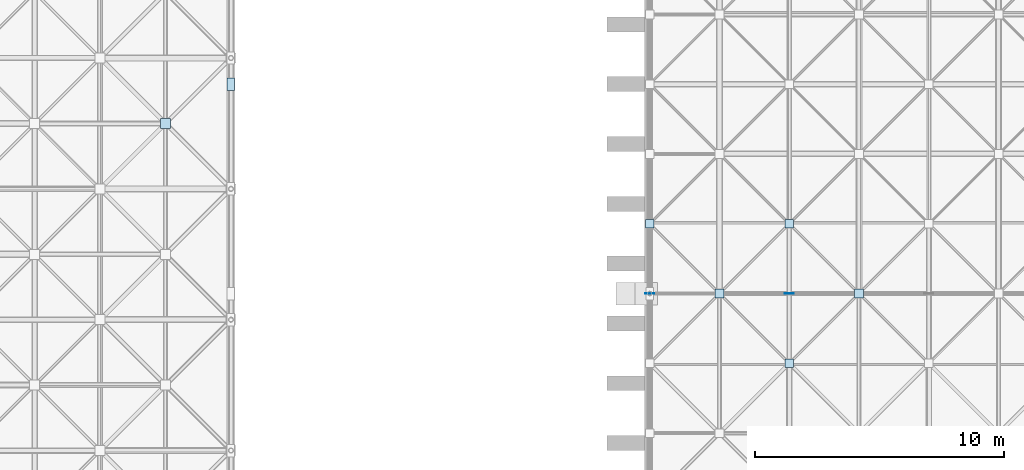
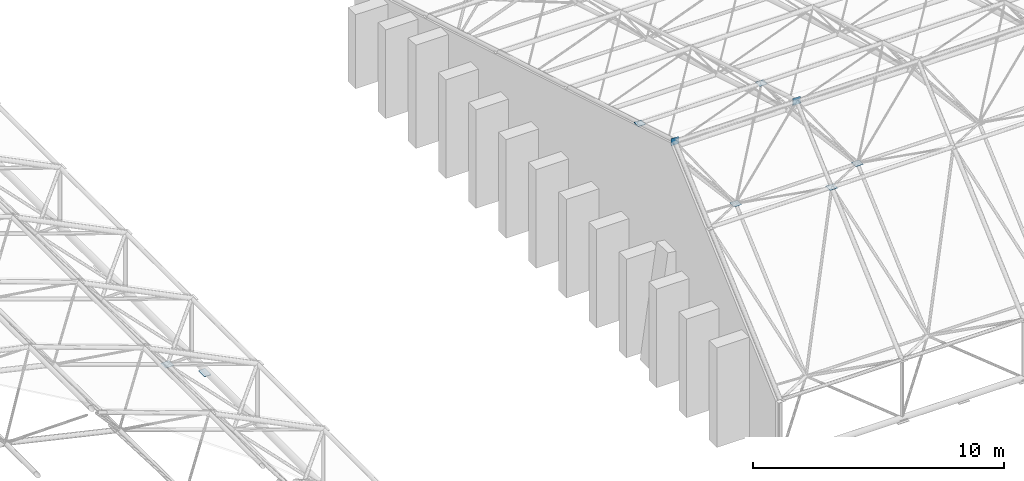
# One storey, part 57 of 100: 9 plates.
"""IFC4 building model written with IfcOpenShell, lengths in metres."""

from ifc_helpers import new_model, si_unit, direction, frame, origin, origin_2d, place, context, subcontext, project, spatial, rectangle, extrude, material, layer, layer_set, type_object, element, save


model = new_model("IFC4")

# Units and contexts
model_context = context("Model", 3, precision=1e-05, world=origin(), true_north=direction((0.0, 1.0)))
body_context = subcontext(model_context, "Body", "Model", "MODEL_VIEW")
ifc_project = project(units=[si_unit("LENGTHUNIT", "METRE"), si_unit("AREAUNIT", "SQUARE_METRE"), si_unit("VOLUMEUNIT", "CUBIC_METRE"), si_unit("PLANEANGLEUNIT", "RADIAN"), si_unit("MASSUNIT", "GRAM", prefix="KILO")], contexts=[model_context])

# Site, building, storey
site_placement = place(None, origin())
site = spatial("IfcSite", under=ifc_project, at=site_placement, CompositionType="ELEMENT")
building_placement = place(site_placement, origin())
building = spatial("IfcBuilding", under=site, at=building_placement, Name="Kiln Court Media Centre", CompositionType="ELEMENT")
storey_placement = place(building_placement, frame((0.0, 0.0, 15.0)))
storey = spatial("IfcBuildingStorey", under=building, at=storey_placement, Name="L03", CompositionType="ELEMENT", Elevation=15.0)

# Plates
ifc_material_1 = material(Name="Steel ASTM A572 Gr 50", Category="steel")
ifc_layer_1 = layer(ifc_material_1, 0.030029296875)
ifc_layer_set_1 = layer_set([ifc_layer_1], Name="Steel ASTM A572 Gr 50 300x500x30 bearing plate")
plate_type_1 = type_object("IfcPlateType", Name="Steel ASTM A572 Gr 50 300x500x30 bearing plate", PredefinedType="USERDEFINED", material=ifc_layer_set_1)
plate_1_placement = place(storey_placement, frame((100.800048828125, 50.39990234375, -0.001953125), z_axis=(0.0, 0.0, 1.0), x_axis=(1.0, 0.0, 0.0)))
element("IfcPlate", 1, at=plate_1_placement, inside=storey, type_object=plate_type_1, Name="V1 roof bearing plate at RC-V1-3 bearing plate", ObjectType="BEARING PLATE", PredefinedType="USERDEFINED", context=body_context, shape_type="SweptSolid", body=[
    extrude(rectangle(XDim=0.300048828125, YDim=0.5, at=origin_2d()), origin(), (0.0, 0.0, 1.0), 0.030029296875),
])
ifc_material_2 = material(Name="Steel ASTM A572 Gr 50", Category="steel")
ifc_layer_2 = layer(ifc_material_2, 0.010009765625)
ifc_layer_set_2 = layer_set([ifc_layer_2], Name="Steel ASTM A572 Gr 50 350x350x10 connection plate V2")
plate_type_2 = type_object("IfcPlateType", Name="Steel ASTM A572 Gr 50 350x350x10 connection plate V2", PredefinedType="USERDEFINED", material=ifc_layer_set_2)
plate_2_placement = place(storey_placement, frame((117.60009765625, 42.0, 10.324951171875), z_axis=(0.0, 0.0, 1.0), x_axis=(1.0, 0.0, 0.0)))
element("IfcPlate", 2, at=plate_2_placement, inside=storey, type_object=plate_type_2, Name="V2 node connection plate", ObjectType="CONNECTION PLATE", PredefinedType="USERDEFINED", context=body_context, shape_type="SweptSolid", body=[
    extrude(rectangle(XDim=0.35009765625, YDim=0.010009765625, at=origin_2d()), origin(), (0.0, 0.0, 1.0), 0.35009765625),
])
for number, where, z_axis, x_axis, name in (
    (3, (117.60009765625, 44.800048828125, 9.66162109375), (0.0, 0.0, 1.0), (1.0, 0.0, 0.0), "V2 node connection plate"),
    (4, (120.39990234375, 42.0, 6.47314453125), (0.0, 0.0, 1.0), (1.0, 0.0, 0.0), "V2 node connection plate"),
    (5, (123.199951171875, 39.199951171875, 7.9951171875), (0.0, 0.0, 1.0), (1.0, 0.0, 0.0), "V2 node connection plate"),
):
    element("IfcPlate", number, at=place(storey_placement, frame(where, z_axis=z_axis, x_axis=x_axis)), inside=storey, type_object=plate_type_2, Name=name, ObjectType="CONNECTION PLATE", PredefinedType="USERDEFINED", context=body_context, shape_type="SweptSolid", body=[
        extrude(rectangle(XDim=0.35009765625, YDim=0.35009765625, at=origin_2d()), origin(), (0.0, 0.0, 1.0), 0.010009765625),
    ])
plate_3_placement = place(storey_placement, frame((123.199951171875, 42.0, 10.324951171875), z_axis=(0.0, 0.0, 1.0), x_axis=(1.0, 0.0, 0.0)))
element("IfcPlate", 6, at=plate_3_placement, inside=storey, type_object=plate_type_2, Name="V2 node connection plate", ObjectType="CONNECTION PLATE", PredefinedType="USERDEFINED", context=body_context, shape_type="SweptSolid", body=[
    extrude(rectangle(XDim=0.35009765625, YDim=0.010009765625, at=origin_2d()), origin(), (0.0, 0.0, 1.0), 0.35009765625),
])
for number, where, z_axis, x_axis, name in (
    (7, (123.199951171875, 44.800048828125, 9.66162109375), (0.0, 0.0, 1.0), (1.0, 0.0, 0.0), "V2 node connection plate"),
    (8, (126.0, 42.0, 6.47314453125), (0.0, 0.0, 1.0), (1.0, 0.0, 0.0), "V2 node connection plate"),
):
    element("IfcPlate", number, at=place(storey_placement, frame(where, z_axis=z_axis, x_axis=x_axis)), inside=storey, type_object=plate_type_2, Name=name, ObjectType="CONNECTION PLATE", PredefinedType="USERDEFINED", context=body_context, shape_type="SweptSolid", body=[
        extrude(rectangle(XDim=0.35009765625, YDim=0.35009765625, at=origin_2d()), origin(), (0.0, 0.0, 1.0), 0.010009765625),
    ])
ifc_material_3 = material(Name="Steel ASTM A572 Gr 50", Category="steel")
ifc_layer_3 = layer(ifc_material_3, 0.011962890625)
ifc_layer_set_3 = layer_set([ifc_layer_3], Name="Steel ASTM A572 Gr 50 400x400x12 connection plate V1")
plate_type_3 = type_object("IfcPlateType", Name="Steel ASTM A572 Gr 50 400x400x12 connection plate V1", PredefinedType="USERDEFINED", material=ifc_layer_set_3)
plate_4_placement = place(storey_placement, frame((98.175048828125, 48.824951171875, 2.2919921875), z_axis=(0.0, 0.0, 1.0), x_axis=(1.0, 0.0, 0.0)))
element("IfcPlate", 9, at=plate_4_placement, inside=storey, type_object=plate_type_3, Name="V1 node connection plate", ObjectType="CONNECTION PLATE", PredefinedType="USERDEFINED", context=body_context, shape_type="SweptSolid", body=[
    extrude(rectangle(XDim=0.39990234375, YDim=0.39990234375, at=origin_2d()), origin(), (0.0, 0.0, 1.0), 0.011962890625),
])

save(model, "model.ifc")
